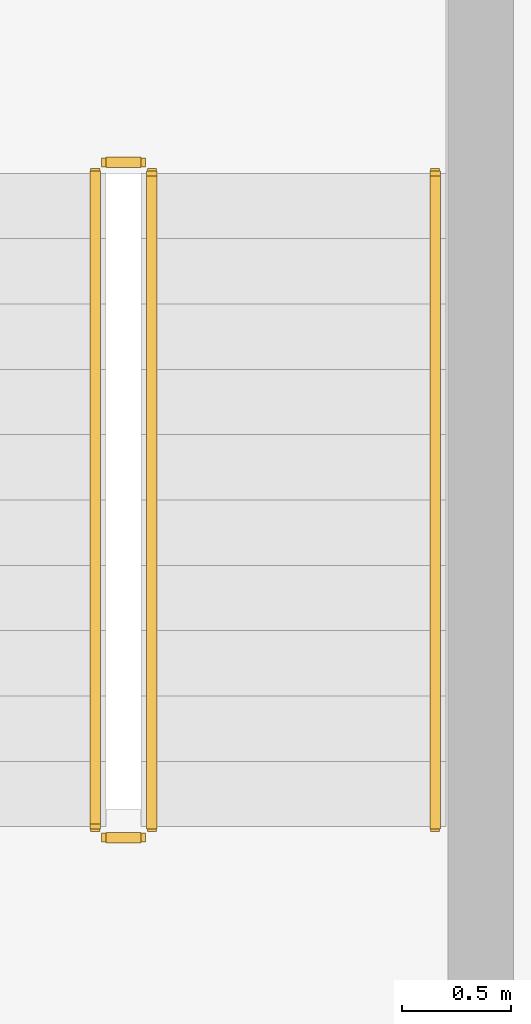
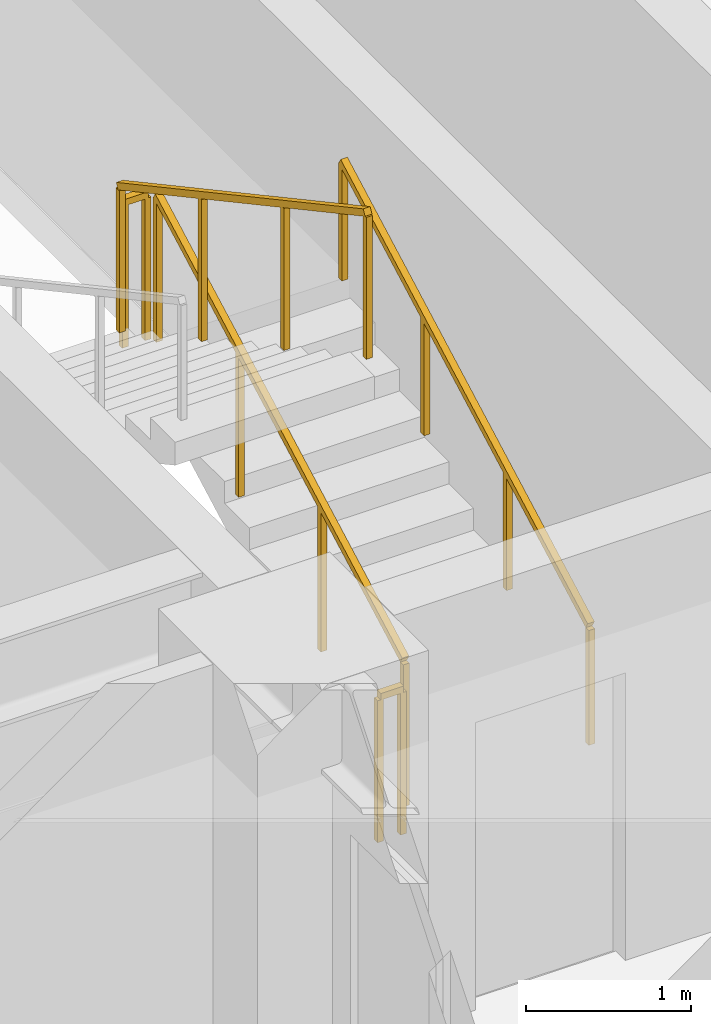
# One storey, part 12 of 18: 5 railings.
"""IFC4 building model written with IfcOpenShell, lengths in metres."""

from ifc_helpers import new_model, si_unit, direction, frame, origin, origin_2d, place, context, subcontext, project, spatial, rectangle, extrude, material, type_object, element, save


model = new_model("IFC4")

# Units and contexts
model_context = context("Model", 3, precision=1e-05, world=origin(), true_north=direction((0.0, 1.0)))
body_context = subcontext(model_context, "Body", "Model", "MODEL_VIEW")
ifc_project = project(units=[si_unit("LENGTHUNIT", "METRE"), si_unit("AREAUNIT", "SQUARE_METRE"), si_unit("VOLUMEUNIT", "CUBIC_METRE"), si_unit("PLANEANGLEUNIT", "RADIAN"), si_unit("MASSUNIT", "GRAM", prefix="KILO")], contexts=[model_context])

# Site, building, storey
site_placement = place(None, origin())
site = spatial("IfcSite", under=ifc_project, at=site_placement, CompositionType="ELEMENT")
building_placement = place(site_placement, origin())
building = spatial("IfcBuilding", under=site, at=building_placement, Name="Zulmaris Gate Convention Tower", CompositionType="ELEMENT")
storey_placement = place(building_placement, frame((0.0, 0.0, 78.60986328125)))
storey = spatial("IfcBuildingStorey", under=building, at=storey_placement, Name="L19", CompositionType="ELEMENT", Elevation=78.60986328125)

# Railings
ifc_material_1 = material(Name="Painted Galvanised Steel", Category="steel")
railing_type_1 = type_object("IfcRailingType", Name="RL-STG-1150", PredefinedType="GUARDRAIL", material=ifc_material_1)
railing_1_placement = place(storey_placement, frame((-18.2099609375, -8.199951171875, 0.162353515625)))
element("IfcRailing", 1, at=railing_1_placement, inside=storey, type_object=railing_type_1, Name="L19 ST-3 stair guard 1", PredefinedType="GUARDRAIL", context=body_context, shape_type="SweptSolid", body=[
    extrude(rectangle(XDim=0.048095703125, YDim=0.048095703125, at=origin_2d()), frame((0.0, 0.0, 1.076171875), z_axis=(0.0, 0.8795616155, 0.475784998228), x_axis=(-1.0, 0.0, 0.0)), (0.0, 0.0, 1.0), 3.410888671875),
    extrude(rectangle(XDim=0.0419921875, YDim=0.0419921875, at=origin_2d()), origin(), (0.0, 0.0, 1.0), 1.052001953125),
    extrude(rectangle(XDim=0.0419921875, YDim=0.0419921875, at=origin_2d()), frame((0.0, 1.0, 0.541015625)), (0.0, 0.0, 1.0), 1.052001953125),
    extrude(rectangle(XDim=0.0419921875, YDim=0.0419921875, at=origin_2d()), frame((0.0, 2.0, 1.081787109375)), (0.0, 0.0, 1.0), 1.052001953125),
    extrude(rectangle(XDim=0.0419921875, YDim=0.0419921875, at=origin_2d()), frame((0.0, 3.0, 1.622802734375)), (0.0, 0.0, 1.0), 1.052001953125),
])
railing_2_placement = place(storey_placement, frame((-18.260009765625, -5.14990234375, 1.78515625)))
element("IfcRailing", 2, at=railing_2_placement, inside=storey, type_object=railing_type_1, Name="L19 ST-3 stair guard 2", PredefinedType="GUARDRAIL", context=body_context, shape_type="SweptSolid", body=[
    extrude(rectangle(XDim=0.048095703125, YDim=0.048095703125, at=origin_2d()), frame((0.0, 0.0, 1.076171875), z_axis=(-1.0, 0.0, 0.0), x_axis=(0.0, -1.0, 0.0)), (0.0, 0.0, 1.0), 0.159912109375),
    extrude(rectangle(XDim=0.0419921875, YDim=0.0419921875, at=origin_2d()), origin(), (0.0, 0.0, 1.0), 1.052001953125),
    extrude(rectangle(XDim=0.0419921875, YDim=0.0419921875, at=origin_2d()), frame((-0.159912109375, 0.0, 0.0)), (0.0, 0.0, 1.0), 1.052001953125),
])
railing_3_placement = place(storey_placement, frame((-18.469970703125, -5.199951171875, 1.947265625)))
element("IfcRailing", 3, at=railing_3_placement, inside=storey, type_object=railing_type_1, Name="L19 ST-3 stair guard 3", PredefinedType="GUARDRAIL", context=body_context, shape_type="SweptSolid", body=[
    extrude(rectangle(XDim=0.048095703125, YDim=0.048095703125, at=origin_2d()), frame((0.0, 0.0, 1.076171875), z_axis=(0.0, -0.8795616155, 0.475784998228), x_axis=(1.0, 0.0, 0.0)), (0.0, 0.0, 1.0), 3.410888671875),
    extrude(rectangle(XDim=0.0419921875, YDim=0.0419921875, at=origin_2d()), origin(), (0.0, 0.0, 1.0), 1.052001953125),
    extrude(rectangle(XDim=0.0419921875, YDim=0.0419921875, at=origin_2d()), frame((0.0, -1.0, 0.541015625)), (0.0, 0.0, 1.0), 1.052001953125),
    extrude(rectangle(XDim=0.0419921875, YDim=0.0419921875, at=origin_2d()), frame((0.0, -2.0, 1.081787109375)), (0.0, 0.0, 1.0), 1.052001953125),
    extrude(rectangle(XDim=0.0419921875, YDim=0.0419921875, at=origin_2d()), frame((0.0, -3.0, 1.622802734375)), (0.0, 0.0, 1.0), 1.052001953125),
])
railing_4_placement = place(storey_placement, frame((-18.260009765625, -8.25, 0.0)))
element("IfcRailing", 4, at=railing_4_placement, inside=storey, type_object=railing_type_1, Name="L19 ST-3 stair guard 4", PredefinedType="GUARDRAIL", context=body_context, shape_type="SweptSolid", body=[
    extrude(rectangle(XDim=0.048095703125, YDim=0.048095703125, at=origin_2d()), frame((0.0, 0.0, 1.076171875), z_axis=(-1.0, 0.0, 0.0), x_axis=(0.0, -1.0, 0.0)), (0.0, 0.0, 1.0), 0.159912109375),
    extrude(rectangle(XDim=0.0419921875, YDim=0.0419921875, at=origin_2d()), origin(), (0.0, 0.0, 1.0), 1.052001953125),
    extrude(rectangle(XDim=0.0419921875, YDim=0.0419921875, at=origin_2d()), frame((-0.159912109375, 0.0, 0.0)), (0.0, 0.0, 1.0), 1.052001953125),
])
ifc_material_2 = material(Name="Brushed Stainless Steel", Category="steel")
railing_type_2 = type_object("IfcRailingType", Name="RL-STH-900", PredefinedType="HANDRAIL", material=ifc_material_2)
railing_5_placement = place(storey_placement, frame((-16.909912109375, -8.199951171875, 0.162353515625)))
element("IfcRailing", 5, at=railing_5_placement, inside=storey, type_object=railing_type_2, Name="L19 ST-3 stair handrail 1", PredefinedType="HANDRAIL", context=body_context, shape_type="SweptSolid", body=[
    extrude(rectangle(XDim=0.048095703125, YDim=0.048095703125, at=origin_2d()), frame((0.0, 0.0, 0.8759765625), z_axis=(0.0, 0.8795616155, 0.475784998228), x_axis=(-1.0, 0.0, 0.0)), (0.0, 0.0, 1.0), 3.410888671875),
    extrude(rectangle(XDim=0.0419921875, YDim=0.0419921875, at=origin_2d()), origin(), (0.0, 0.0, 1.0), 0.851806640625),
    extrude(rectangle(XDim=0.0419921875, YDim=0.0419921875, at=origin_2d()), frame((0.0, 1.0, 0.541015625)), (0.0, 0.0, 1.0), 0.851806640625),
    extrude(rectangle(XDim=0.0419921875, YDim=0.0419921875, at=origin_2d()), frame((0.0, 2.0, 1.081787109375)), (0.0, 0.0, 1.0), 0.851806640625),
    extrude(rectangle(XDim=0.0419921875, YDim=0.0419921875, at=origin_2d()), frame((0.0, 3.0, 1.622802734375)), (0.0, 0.0, 1.0), 0.851806640625),
])

save(model, "model.ifc")
